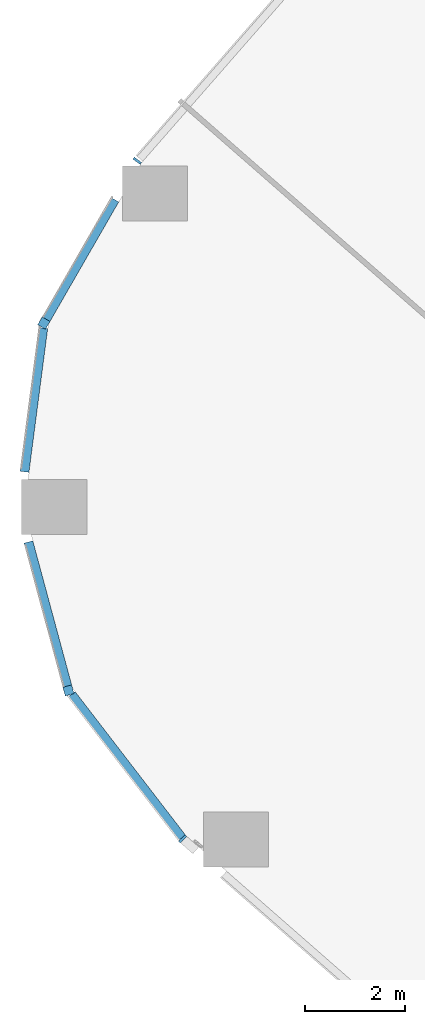
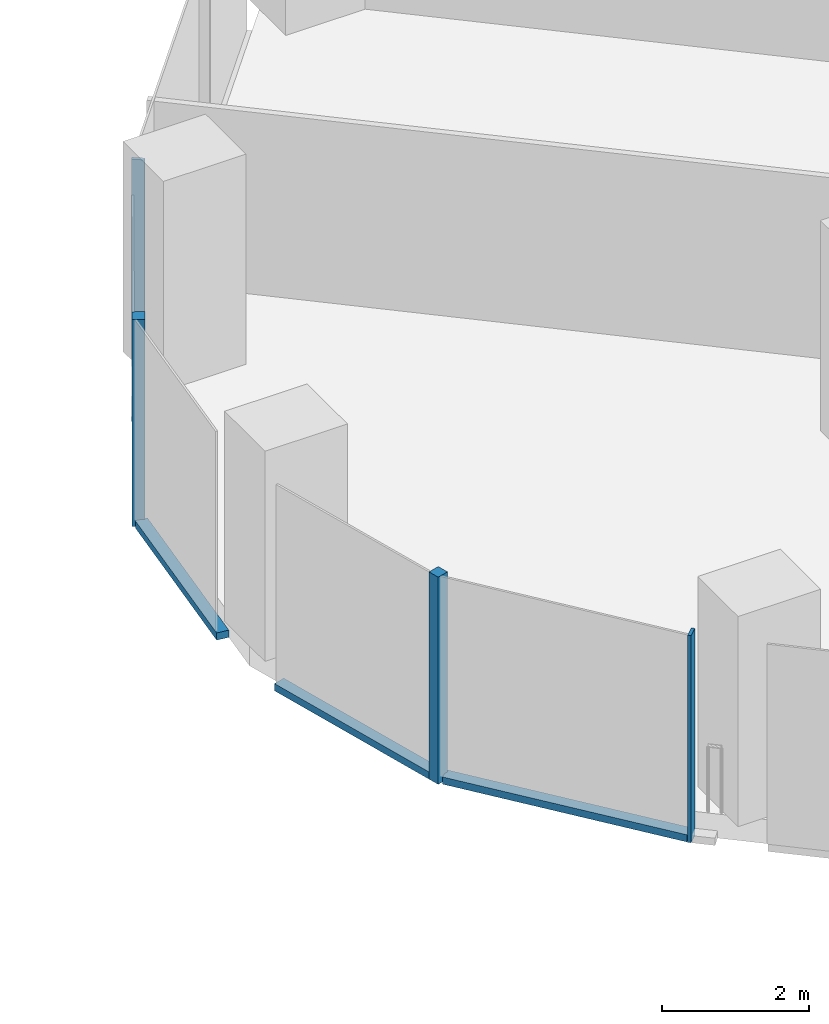
# One storey, part 3 of 38: 8 members, 5 elements without a shape of their own.
"""IFC4 building model written with IfcOpenShell, lengths in metres."""

from ifc_helpers import new_model, si_unit, direction, frame, origin, origin_2d, place, context, subcontext, project, spatial, rectangle, extrude, material, material_profile, profile_set, type_object, element, aggregate, save


model = new_model("IFC4")

# Units and contexts
model_context = context("Model", 3, precision=1e-05, world=origin(), true_north=direction((0.0, 1.0)))
body_context = subcontext(model_context, "Body", "Model", "MODEL_VIEW")
ifc_project = project(units=[si_unit("LENGTHUNIT", "METRE"), si_unit("AREAUNIT", "SQUARE_METRE"), si_unit("VOLUMEUNIT", "CUBIC_METRE"), si_unit("PLANEANGLEUNIT", "RADIAN"), si_unit("MASSUNIT", "GRAM", prefix="KILO")], contexts=[model_context])

# Site, building, storey
site_placement = place(None, origin())
site = spatial("IfcSite", under=ifc_project, at=site_placement, CompositionType="ELEMENT")
building_placement = place(site_placement, origin())
building = spatial("IfcBuilding", under=site, at=building_placement, Name="Orlundy Tower", CompositionType="ELEMENT")
storey_placement = place(building_placement, frame((0.0, 0.0, 69.300048828125)))
storey = spatial("IfcBuildingStorey", under=building, at=storey_placement, Name="L16", CompositionType="ELEMENT", Elevation=69.300048828125)

# Curtain wall, member
ifc_material_1 = material(Name="Aluminium bronze anodised", Category="aluminium")
curtain_wall_type = type_object("IfcCurtainWallType", Name="CW1 wall", PredefinedType="NOTDEFINED", material=ifc_material_1)
curtain_wall_1_placement = place(storey_placement, origin())
curtain_wall_1 = element("IfcCurtainWall", 1, at=curtain_wall_1_placement, inside=storey, type_object=curtain_wall_type, Name="CW1 run 09", PredefinedType="NOTDEFINED")
ifc_material_2 = material(Name="Aluminium bronze anodised", Category="aluminium")
ifc_material_profile_1 = material_profile(ifc_material_2, rectangle(XDim=0.179931640625, YDim=0.179931640625, at=origin_2d()), Name="CW1 corner post 180x180")
ifc_profile_set_1 = profile_set([ifc_material_profile_1], Name="Aluminium bronze anodised")
member_type_1 = type_object("IfcMemberType", Name="CW1 corner post 180x180", PredefinedType="MULLION", material=ifc_profile_set_1)
member_1_placement = place(storey_placement, frame((-49.413330078125, -34.982666015625, -0.400146484375), z_axis=(0.0, 0.0, 1.0), x_axis=(-0.965519317919, -0.260331417091, 0.0)))
member_1 = element("IfcMember", 2, at=member_1_placement, type_object=member_type_1, Name="CW1 mullion 23", PredefinedType="MULLION", context=body_context, shape_type="SweptSolid", body=[
    extrude(rectangle(XDim=0.179931640625, YDim=0.179931640625, at=origin_2d()), origin(), (0.0, 0.0, 1.0), 3.4501953125),
])

curtain_wall_2_placement = place(storey_placement, origin())
curtain_wall_2 = element("IfcCurtainWall", 3, at=curtain_wall_2_placement, inside=storey, type_object=curtain_wall_type, Name="CW1 run 011", PredefinedType="NOTDEFINED")
member_2_placement = place(storey_placement, frame((-49.904052734375, -27.65869140625, -0.400146484375), z_axis=(0.0, 0.0, 1.0), x_axis=(-0.866845089361, 0.498577567738, 0.0)))
member_2 = element("IfcMember", 4, at=member_2_placement, type_object=member_type_1, Name="CW1 mullion 25", PredefinedType="MULLION", context=body_context, shape_type="SweptSolid", body=[
    extrude(rectangle(XDim=0.179931640625, YDim=0.179931640625, at=origin_2d()), origin(), (0.0, 0.0, 1.0), 3.4501953125),
])

curtain_wall_3_placement = place(storey_placement, origin())
curtain_wall_3 = element("IfcCurtainWall", 5, at=curtain_wall_3_placement, inside=storey, type_object=curtain_wall_type, Name="CW1 run 08", PredefinedType="NOTDEFINED")
ifc_material_3 = material(Name="Aluminium bronze anodised", Category="aluminium")
ifc_material_profile_2 = material_profile(ifc_material_3, rectangle(XDim=0.179931640625, YDim=0.050048828125, at=origin_2d()), Name="CW1 mullion 50x180")
ifc_profile_set_2 = profile_set([ifc_material_profile_2], Name="Aluminium bronze anodised")
member_type_2 = type_object("IfcMemberType", Name="CW1 mullion 50x180", PredefinedType="MULLION", material=ifc_profile_set_2)
member_3_placement = place(storey_placement, frame((-47.135986328125, -37.94189453125, -0.400146484375), z_axis=(0.0, 0.0, 1.0), x_axis=(-0.728888590013, -0.684632327128, 0.0)))
member_3 = element("IfcMember", 6, at=member_3_placement, type_object=member_type_2, Name="CW1 mullion 22", PredefinedType="MULLION", context=body_context, shape_type="SweptSolid", body=[
    extrude(rectangle(XDim=0.179931640625, YDim=0.050048828125, at=origin_2d()), origin(), (0.0, 0.0, 1.0), 3.4501953125),
])

curtain_wall_4_placement = place(storey_placement, origin())
curtain_wall_4 = element("IfcCurtainWall", 7, at=curtain_wall_4_placement, inside=storey, type_object=curtain_wall_type, Name="CW1 run 012", PredefinedType="NOTDEFINED")
member_4_placement = place(storey_placement, frame((-48.04248046875, -24.42236328125, -0.400146484375), z_axis=(0.0, 0.0, 1.0), x_axis=(-0.813739112089, 0.581230296402, 0.0)))
member_4 = element("IfcMember", 8, at=member_4_placement, type_object=member_type_2, Name="CW1 mullion 26", PredefinedType="MULLION", context=body_context, shape_type="SweptSolid", body=[
    extrude(rectangle(XDim=0.179931640625, YDim=0.050048828125, at=origin_2d()), origin(), (0.0, 0.0, 1.0), 3.4501953125),
])
aggregate(curtain_wall_4, [member_4])

# Member
ifc_material_4 = material(Name="Aluminium bronze anodised", Category="aluminium")
ifc_material_profile_3 = material_profile(ifc_material_4, rectangle(XDim=0.179931640625, YDim=0.1201171875, at=origin_2d()), Name="CW1 transom 180x120")
ifc_profile_set_3 = profile_set([ifc_material_profile_3], Name="Aluminium bronze anodised")
member_type_3 = type_object("IfcMemberType", Name="CW1 transom 180x120", PredefinedType="USERDEFINED", material=ifc_profile_set_3)
member_5_placement = place(storey_placement, frame((-47.151123046875, -37.922119140625, -0.340087890625), z_axis=(-0.609861021509, 0.792508381309, 0.0), x_axis=(-0.792508381309, -0.609861021509, 0.0)))
member_5 = element("IfcMember", 9, at=member_5_placement, type_object=member_type_3, Name="CW1 transom", ObjectType="TRANSOM", PredefinedType="USERDEFINED", context=body_context, shape_type="SweptSolid", body=[
    extrude(rectangle(XDim=0.179931640625, YDim=0.1201171875, at=origin_2d()), origin(), (0.0, 0.0, 1.0), 3.61181640625),
])

aggregate(curtain_wall_3, [member_3, member_5])

member_6_placement = place(storey_placement, frame((-49.436767578125, -34.895751953125, -0.340087890625), z_axis=(-0.260276552613, 0.965534109268, 0.0), x_axis=(-0.965534109268, -0.260276552613, 0.0)))
member_6 = element("IfcMember", 10, at=member_6_placement, type_object=member_type_3, Name="CW1 transom", ObjectType="TRANSOM", PredefinedType="USERDEFINED", context=body_context, shape_type="SweptSolid", body=[
    extrude(rectangle(XDim=0.179931640625, YDim=0.1201171875, at=origin_2d()), origin(), (0.0, 0.0, 1.0), 2.975341796875),
])

aggregate(curtain_wall_1, [member_1, member_6])

# Curtain wall, member
curtain_wall_5_placement = place(storey_placement, origin())
curtain_wall_5 = element("IfcCurtainWall", 11, at=curtain_wall_5_placement, inside=storey, type_object=curtain_wall_type, Name="CW1 run 010", PredefinedType="NOTDEFINED")
member_7_placement = place(storey_placement, frame((-50.290283203125, -30.623046875, -0.340087890625), z_axis=(0.129238137404, 0.99161358595, 0.0), x_axis=(-0.99161358595, 0.129238137404, 0.0)))
member_7 = element("IfcMember", 12, at=member_7_placement, type_object=member_type_3, Name="CW1 transom", ObjectType="TRANSOM", PredefinedType="USERDEFINED", context=body_context, shape_type="SweptSolid", body=[
    extrude(rectangle(XDim=0.179931640625, YDim=0.1201171875, at=origin_2d()), origin(), (0.0, 0.0, 1.0), 2.89208984375),
])
aggregate(curtain_wall_5, [member_7])

# Member
member_8_placement = place(storey_placement, frame((-49.859130859375, -27.58056640625, -0.340087890625), z_axis=(0.498586294295, 0.866840070106, 0.0), x_axis=(-0.866840070106, 0.498586294295, 0.0)))
member_8 = element("IfcMember", 13, at=member_8_placement, type_object=member_type_3, Name="CW1 transom", ObjectType="TRANSOM", PredefinedType="USERDEFINED", context=body_context, shape_type="SweptSolid", body=[
    extrude(rectangle(XDim=0.179931640625, YDim=0.1201171875, at=origin_2d()), origin(), (0.0, 0.0, 1.0), 2.748046875),
])

aggregate(curtain_wall_2, [member_2, member_8])

save(model, "model.ifc")
